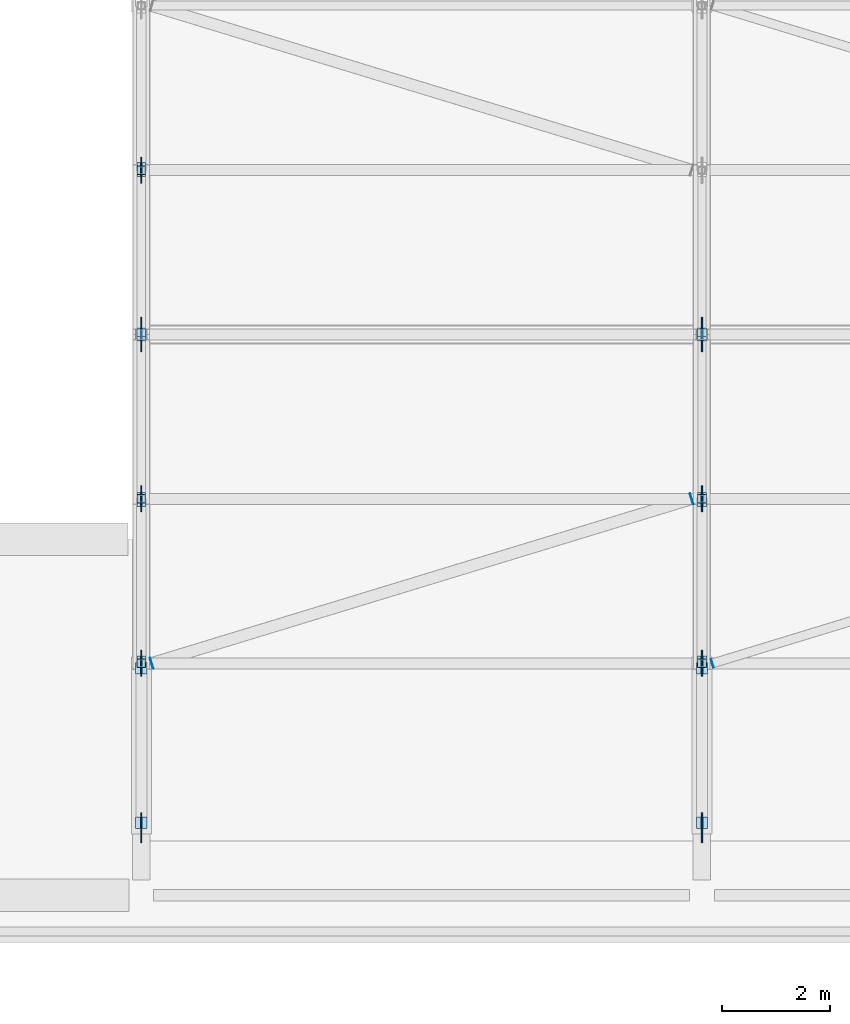
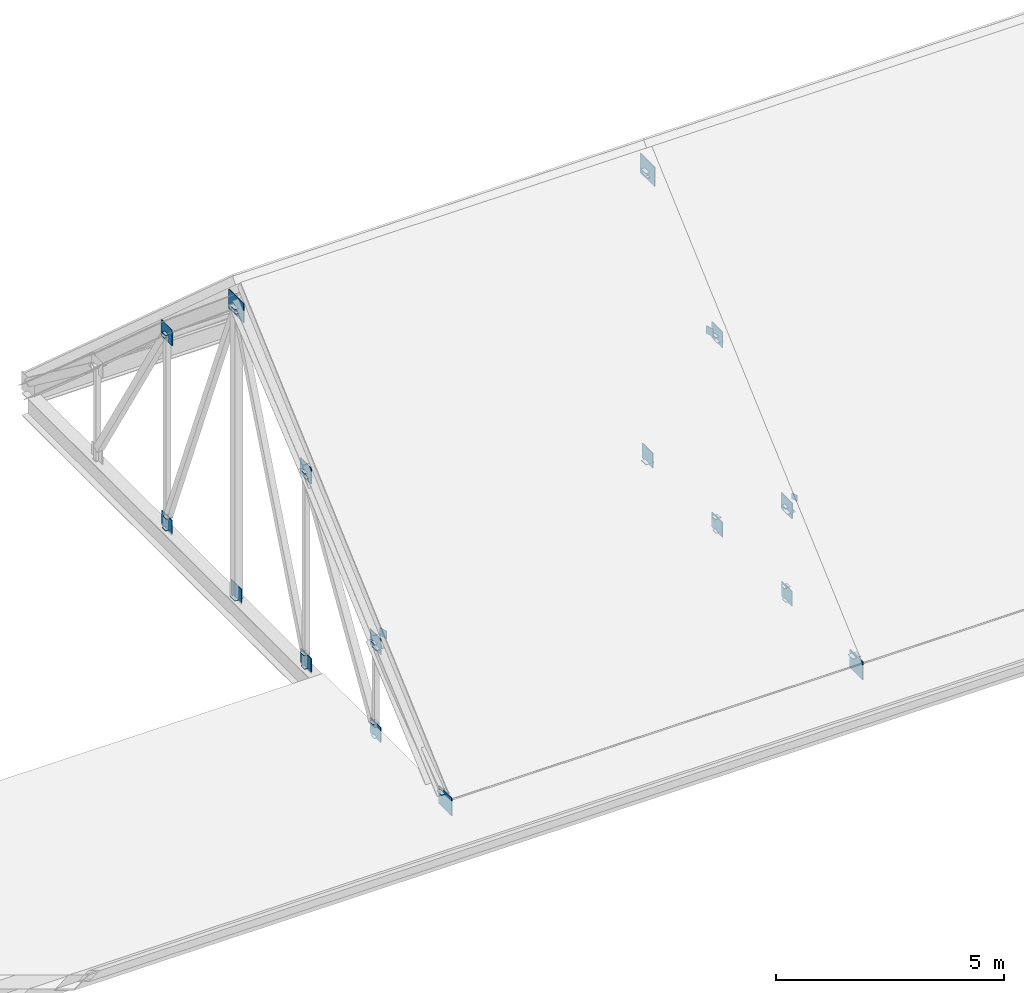
# One storey, part 46 of 86: 49 plates.
"""IFC4 building model written with IfcOpenShell, lengths in metres."""

from ifc_helpers import new_model, si_unit, derived_unit, direction, frame, origin, origin_2d, place, context, subcontext, project, spatial, rectangle, extrude, material, layer, layer_set, type_object, element, save


model = new_model("IFC4")

# Units and contexts
model_context = context("Model", 3, precision=1e-05, world=origin(), true_north=direction((0.0, 1.0)))
body_context = subcontext(model_context, "Body", "Model", "MODEL_VIEW")
ifc_project = project(units=[si_unit("LENGTHUNIT", "METRE"), si_unit("AREAUNIT", "SQUARE_METRE"), si_unit("VOLUMEUNIT", "CUBIC_METRE"), si_unit("PLANEANGLEUNIT", "RADIAN"), si_unit("MASSUNIT", "GRAM", prefix="KILO"), derived_unit("THERMALTRANSMITTANCEUNIT", [(si_unit("POWERUNIT", "WATT"), 1), (si_unit("LENGTHUNIT", "METRE"), -2), (si_unit("THERMODYNAMICTEMPERATUREUNIT", "KELVIN"), -1)])], contexts=[model_context])

# Site, building, storey
site_placement = place(None, origin())
site = spatial("IfcSite", under=ifc_project, at=site_placement, CompositionType="ELEMENT")
building_placement = place(site_placement, origin())
building = spatial("IfcBuilding", under=site, at=building_placement, Name="Braskholm Square Health Centre", CompositionType="ELEMENT")
storey_placement = place(building_placement, frame((0.0, 0.0, 13.5)))
storey = spatial("IfcBuildingStorey", under=building, at=storey_placement, Name="L04", CompositionType="ELEMENT", Elevation=13.5)

# Plates
ifc_material = material(Name="Steel ASTM A572 Grade 50", Category="steel")
ifc_layer_1 = layer(ifc_material, 0.01611328125)
ifc_layer_set_1 = layer_set([ifc_layer_1], Name="Steel ASTM A572 Grade 50")
plate_type_1 = type_object("IfcPlateType", Name="CapPlateHSS152TN8", PredefinedType="USERDEFINED", material=ifc_layer_set_1)
for number, where, z_axis, x_axis, name in (
    (1, (47.60009765625, 91.5, -0.2861328125), (0.0, 0.0, 1.0), (1.0, 0.0, 0.0), "Hollow section end cap plate 0001"),
    (2, (47.60009765625, 91.5, 2.221923828125), (0.0, 0.0, 1.0), (1.0, 0.0, 0.0), "Hollow section end cap plate 0002"),
    (3, (47.60009765625, 94.550048828125, -0.2861328125), (0.0, 0.0, 1.0), (1.0, 0.0, 0.0), "Hollow section end cap plate 0003"),
    (4, (47.60009765625, 94.550048828125, 4.941162109375), (0.0, 0.0, 1.0), (1.0, 0.0, 0.0), "Hollow section end cap plate 0004"),
    (5, (47.60009765625, 100.64990234375, -0.2861328125), (0.0, 0.0, 1.0), (1.0, 0.0, 0.0), "Hollow section end cap plate 0007"),
    (6, (47.60009765625, 100.64990234375, 4.941162109375), (0.0, 0.0, 1.0), (1.0, 0.0, 0.0), "Hollow section end cap plate 0008"),
    (7, (47.60009765625, 91.55908203125, 0.046875), (0.0, 0.0, 1.0), (1.0, 0.0, 0.0), "Hollow section end cap plate 0013"),
    (8, (47.60009765625, 94.490966796875, 4.837890625), (0.0, 0.0, 1.0), (1.0, 0.0, 0.0), "Hollow section end cap plate 0014"),
    (9, (47.60009765625, 94.592041015625, 0.055908203125), (0.0, 0.0, 1.0), (1.0, 0.0, 0.0), "Hollow section end cap plate 0015"),
    (10, (47.60009765625, 97.55810546875, 7.387939453125), (0.0, 0.0, 1.0), (1.0, 0.0, 0.0), "Hollow section end cap plate 0016"),
    (11, (47.60009765625, 100.60791015625, 0.055908203125), (0.0, 0.0, 1.0), (1.0, 0.0, 0.0), "Hollow section end cap plate 0017"),
    (12, (47.60009765625, 97.64208984375, 7.387939453125), (0.0, 0.0, 1.0), (1.0, 0.0, 0.0), "Hollow section end cap plate 0018"),
    (13, (47.60009765625, 100.708984375, 4.837890625), (0.0, 0.0, 1.0), (1.0, 0.0, 0.0), "Hollow section end cap plate 0020"),
    (14, (58.0, 91.5, -0.2861328125), (0.0, 0.0, 1.0), (1.0, 0.0, 0.0), "Hollow section end cap plate 0035"),
    (15, (58.0, 91.5, 2.221923828125), (0.0, 0.0, 1.0), (1.0, 0.0, 0.0), "Hollow section end cap plate 0036"),
    (16, (58.0, 94.550048828125, -0.2861328125), (0.0, 0.0, 1.0), (1.0, 0.0, 0.0), "Hollow section end cap plate 0037"),
    (17, (58.0, 94.550048828125, 4.941162109375), (0.0, 0.0, 1.0), (1.0, 0.0, 0.0), "Hollow section end cap plate 0038"),
    (18, (58.0, 91.55908203125, 0.046875), (0.0, 0.0, 1.0), (1.0, 0.0, 0.0), "Hollow section end cap plate 0047"),
    (19, (58.0, 94.490966796875, 4.837890625), (0.0, 0.0, 1.0), (1.0, 0.0, 0.0), "Hollow section end cap plate 0048"),
    (20, (58.0, 94.592041015625, 0.055908203125), (0.0, 0.0, 1.0), (1.0, 0.0, 0.0), "Hollow section end cap plate 0049"),
    (21, (58.0, 97.55810546875, 7.387939453125), (0.0, 0.0, 1.0), (1.0, 0.0, 0.0), "Hollow section end cap plate 0050"),
    (22, (58.0, 97.64208984375, 7.387939453125), (0.0, 0.0, 1.0), (1.0, 0.0, 0.0), "Hollow section end cap plate 0052"),
):
    element("IfcPlate", number, at=place(storey_placement, frame(where, z_axis=z_axis, x_axis=x_axis)), inside=storey, type_object=plate_type_1, Name=name, ObjectType="CAP_PLATE", PredefinedType="USERDEFINED", context=body_context, shape_type="SweptSolid", body=[
        extrude(rectangle(XDim=0.159912109375, YDim=0.159912109375, at=origin_2d()), origin(), (0.0, 0.0, 1.0), 0.01611328125),
    ])
plate_placement = place(storey_placement, frame((58.19189453125, 91.498046875, 2.322265625), z_axis=(0.0, 0.0, 1.0), x_axis=(0.956498453883, 0.291737395134, 0.0)))
element("IfcPlate", 23, at=plate_placement, inside=storey, type_object=plate_type_1, Name="Hollow section end cap plate 0281", ObjectType="CAP_PLATE", PredefinedType="USERDEFINED", context=body_context, shape_type="SweptSolid", body=[
    extrude(rectangle(XDim=0.01611328125, YDim=0.159912109375, at=origin_2d()), origin(), (0.0, 0.0, 1.0), 0.159912109375),
])
ifc_layer_2 = layer(ifc_material, 0.01611328125)
ifc_layer_set_2 = layer_set([ifc_layer_2], Name="Steel ASTM A572 Grade 50")
plate_type_2 = type_object("IfcPlateType", Name="CapPlateHSS203TN6", PredefinedType="USERDEFINED", material=ifc_layer_set_2)
for number, where, z_axis, x_axis, name in (
    (24, (47.60009765625, 97.60009765625, -0.2861328125), (0.0, 0.0, 1.0), (1.0, 0.0, 0.0), "Hollow section end cap plate 0005"),
    (25, (47.60009765625, 97.60009765625, 7.5), (0.0, 0.0, 1.0), (1.0, 0.0, 0.0), "Hollow section end cap plate 0006"),
    (26, (47.60009765625, 88.5400390625, 0.017822265625), (0.0, 0.0, 1.0), (1.0, 0.0, 0.0), "Hollow section end cap plate 0011"),
    (27, (47.60009765625, 91.409912109375, 2.14794921875), (0.0, 0.0, 1.0), (1.0, 0.0, 0.0), "Hollow section end cap plate 0012"),
    (28, (58.0, 97.60009765625, -0.2861328125), (0.0, 0.0, 1.0), (1.0, 0.0, 0.0), "Hollow section end cap plate 0039"),
    (29, (58.0, 97.60009765625, 7.5), (0.0, 0.0, 1.0), (1.0, 0.0, 0.0), "Hollow section end cap plate 0040"),
    (30, (58.0, 88.5400390625, 0.017822265625), (0.0, 0.0, 1.0), (1.0, 0.0, 0.0), "Hollow section end cap plate 0045"),
    (31, (58.0, 91.409912109375, 2.14794921875), (0.0, 0.0, 1.0), (1.0, 0.0, 0.0), "Hollow section end cap plate 0046"),
):
    element("IfcPlate", number, at=place(storey_placement, frame(where, z_axis=z_axis, x_axis=x_axis)), inside=storey, type_object=plate_type_2, Name=name, ObjectType="CAP_PLATE", PredefinedType="USERDEFINED", context=body_context, shape_type="SweptSolid", body=[
        extrude(rectangle(XDim=0.2099609375, YDim=0.2099609375, at=origin_2d()), origin(), (0.0, 0.0, 1.0), 0.01611328125),
    ])
for number, where, z_axis, x_axis, name in (
    (32, (47.7919921875, 91.498046875, 2.297119140625), (0.0, 0.0, 1.0), (0.956498453883, 0.291737395134, 0.0), "Hollow section end cap plate 0273"),
    (33, (57.80810546875, 94.552001953125, 5.01611328125), (0.0, 0.0, 1.0), (0.956498453883, 0.291737395134, 0.0), "Hollow section end cap plate 0274"),
):
    element("IfcPlate", number, at=place(storey_placement, frame(where, z_axis=z_axis, x_axis=x_axis)), inside=storey, type_object=plate_type_2, Name=name, ObjectType="CAP_PLATE", PredefinedType="USERDEFINED", context=body_context, shape_type="SweptSolid", body=[
        extrude(rectangle(XDim=0.01611328125, YDim=0.2099609375, at=origin_2d()), origin(), (0.0, 0.0, 1.0), 0.2099609375),
    ])
ifc_layer_3 = layer(ifc_material, 0.02001953125)
ifc_layer_set_3 = layer_set([ifc_layer_3], Name="Steel ASTM A572 Grade 50")
plate_type_3 = type_object("IfcPlateType", Name="NodeGussetBottomPanelTN3", PredefinedType="USERDEFINED", material=ifc_layer_set_3)
for number, where, z_axis, x_axis, name in (
    (34, (47.60009765625, 91.5, -0.320068359375), (0.0, 0.0, 1.0), (1.0, 0.0, 0.0), "Truss node gusset plate 0026"),
    (35, (47.60009765625, 94.550048828125, -0.320068359375), (0.0, 0.0, 1.0), (1.0, 0.0, 0.0), "Truss node gusset plate 0027"),
    (36, (47.60009765625, 97.60009765625, -0.320068359375), (0.0, 0.0, 1.0), (1.0, 0.0, 0.0), "Truss node gusset plate 0028"),
    (37, (47.60009765625, 100.64990234375, -0.320068359375), (0.0, 0.0, 1.0), (1.0, 0.0, 0.0), "Truss node gusset plate 0029"),
    (38, (58.0, 91.5, -0.320068359375), (0.0, 0.0, 1.0), (1.0, 0.0, 0.0), "Truss node gusset plate 0060"),
    (39, (58.0, 94.550048828125, -0.320068359375), (0.0, 0.0, 1.0), (1.0, 0.0, 0.0), "Truss node gusset plate 0061"),
    (40, (58.0, 97.60009765625, -0.320068359375), (0.0, 0.0, 1.0), (1.0, 0.0, 0.0), "Truss node gusset plate 0062"),
):
    element("IfcPlate", number, at=place(storey_placement, frame(where, z_axis=z_axis, x_axis=x_axis)), inside=storey, type_object=plate_type_3, Name=name, ObjectType="GUSSET_PLATE", PredefinedType="USERDEFINED", context=body_context, shape_type="SweptSolid", body=[
        extrude(rectangle(XDim=0.02001953125, YDim=0.4599609375, at=origin_2d()), origin(), (0.0, 0.0, 1.0), 0.39990234375),
    ])
ifc_layer_4 = layer(ifc_material, 0.02392578125)
ifc_layer_set_4 = layer_set([ifc_layer_4], Name="Steel ASTM A572 Grade 50")
plate_type_4 = type_object("IfcPlateType", Name="NodeGussetHeelTN1", PredefinedType="USERDEFINED", material=ifc_layer_set_4)
for number, where, z_axis, x_axis, name in (
    (41, (47.60009765625, 88.449951171875, -0.39990234375), (0.0, 0.0, 1.0), (1.0, 0.0, 0.0), "Truss node gusset plate 0023"),
    (42, (58.0, 88.449951171875, -0.39990234375), (0.0, 0.0, 1.0), (1.0, 0.0, 0.0), "Truss node gusset plate 0057"),
):
    element("IfcPlate", number, at=place(storey_placement, frame(where, z_axis=z_axis, x_axis=x_axis)), inside=storey, type_object=plate_type_4, Name=name, ObjectType="GUSSET_PLATE", PredefinedType="USERDEFINED", context=body_context, shape_type="SweptSolid", body=[
        extrude(rectangle(XDim=0.02392578125, YDim=0.56005859375, at=origin_2d()), origin(), (0.0, 0.0, 1.0), 0.47998046875),
    ])
ifc_layer_5 = layer(ifc_material, 0.02392578125)
ifc_layer_set_5 = layer_set([ifc_layer_5], Name="Steel ASTM A572 Grade 50")
plate_type_5 = type_object("IfcPlateType", Name="NodeGussetRidgeTN2", PredefinedType="USERDEFINED", material=ifc_layer_set_5)
for number, where, z_axis, x_axis, name in (
    (43, (47.60009765625, 97.60009765625, 7.260009765625), (0.0, 0.0, 1.0), (1.0, 0.0, 0.0), "Truss node gusset plate 0025"),
    (44, (58.0, 97.60009765625, 7.260009765625), (0.0, 0.0, 1.0), (1.0, 0.0, 0.0), "Truss node gusset plate 0059"),
):
    element("IfcPlate", number, at=place(storey_placement, frame(where, z_axis=z_axis, x_axis=x_axis)), inside=storey, type_object=plate_type_5, Name=name, ObjectType="GUSSET_PLATE", PredefinedType="USERDEFINED", context=body_context, shape_type="SweptSolid", body=[
        extrude(rectangle(XDim=0.02392578125, YDim=0.639892578125, at=origin_2d()), origin(), (0.0, 0.0, 1.0), 0.52001953125),
    ])
ifc_layer_6 = layer(ifc_material, 0.02197265625)
ifc_layer_set_6 = layer_set([ifc_layer_6], Name="Steel ASTM A572 Grade 50")
plate_type_6 = type_object("IfcPlateType", Name="NodeGussetTopPanelTN4", PredefinedType="USERDEFINED", material=ifc_layer_set_6)
for number, where, z_axis, x_axis, name in (
    (45, (47.60009765625, 91.5, 2.031982421875), (0.0, 0.0, 1.0), (1.0, 0.0, 0.0), "Truss node gusset plate 0031"),
    (46, (47.60009765625, 94.550048828125, 4.7509765625), (0.0, 0.0, 1.0), (1.0, 0.0, 0.0), "Truss node gusset plate 0032"),
    (47, (47.60009765625, 100.64990234375, 4.7509765625), (0.0, 0.0, 1.0), (1.0, 0.0, 0.0), "Truss node gusset plate 0033"),
    (48, (58.0, 91.5, 2.031982421875), (0.0, 0.0, 1.0), (1.0, 0.0, 0.0), "Truss node gusset plate 0065"),
    (49, (58.0, 94.550048828125, 4.7509765625), (0.0, 0.0, 1.0), (1.0, 0.0, 0.0), "Truss node gusset plate 0066"),
):
    element("IfcPlate", number, at=place(storey_placement, frame(where, z_axis=z_axis, x_axis=x_axis)), inside=storey, type_object=plate_type_6, Name=name, ObjectType="GUSSET_PLATE", PredefinedType="USERDEFINED", context=body_context, shape_type="SweptSolid", body=[
        extrude(rectangle(XDim=0.02197265625, YDim=0.47998046875, at=origin_2d()), origin(), (0.0, 0.0, 1.0), 0.419921875),
    ])

save(model, "model.ifc")
